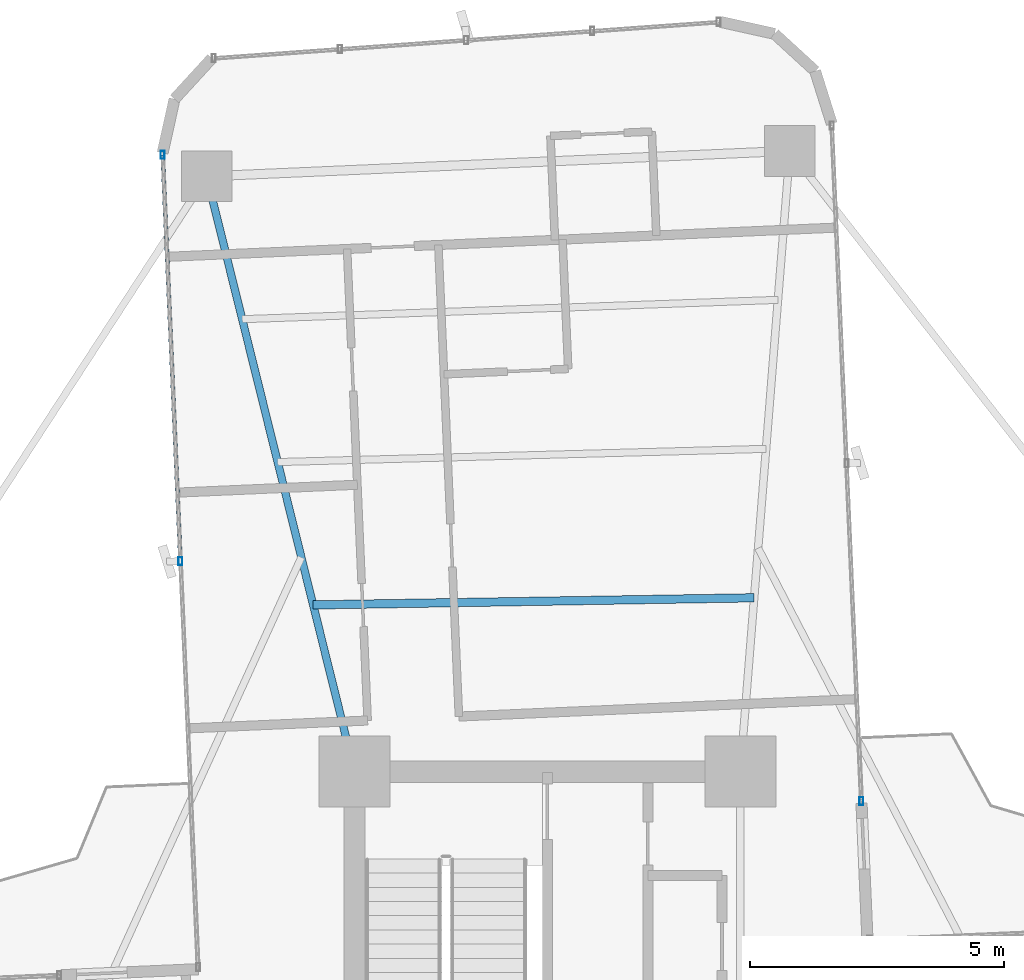
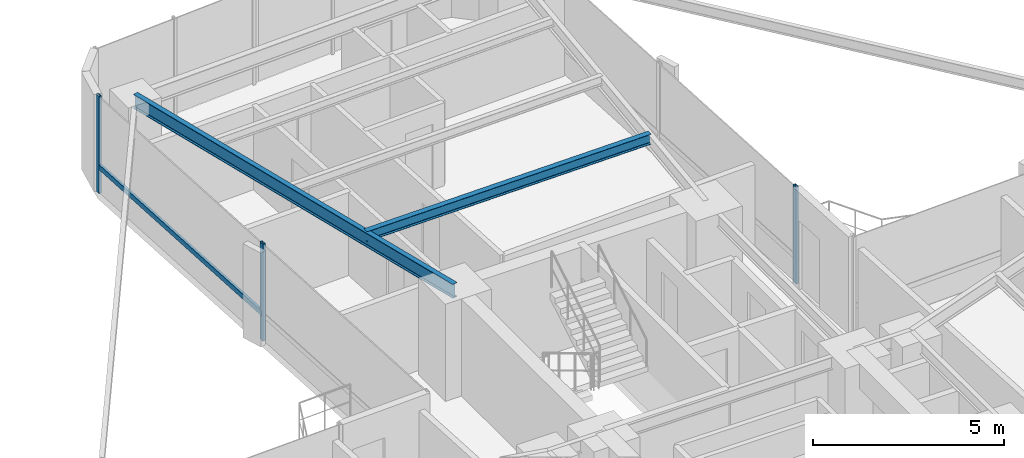
# One storey, part 17 of 26: 4 members, 2 beams, 2 elements without a shape of their own.
"""IFC4 building model written with IfcOpenShell, lengths in metres."""

from ifc_helpers import new_model, si_unit, direction, frame, origin, origin_2d, place, context, subcontext, project, spatial, hollow_rectangle, i_section, extrude, source, transform, mapped, material, material_profile, profile_set, type_object, element, aggregate, save


model = new_model("IFC4")

# Units and contexts
model_context = context("Model", 3, precision=1e-05, world=origin(), true_north=direction((0.0, 1.0)))
body_context = subcontext(model_context, "Body", "Model", "MODEL_VIEW")
ifc_project = project(units=[si_unit("LENGTHUNIT", "METRE"), si_unit("AREAUNIT", "SQUARE_METRE"), si_unit("VOLUMEUNIT", "CUBIC_METRE"), si_unit("PLANEANGLEUNIT", "RADIAN"), si_unit("MASSUNIT", "GRAM", prefix="KILO")], contexts=[model_context])

# Site, building, storey
site_placement = place(None, origin())
site = spatial("IfcSite", under=ifc_project, at=site_placement, CompositionType="ELEMENT")
building_placement = place(site_placement, origin())
building = spatial("IfcBuilding", under=site, at=building_placement, Name="Sahyath Konkavel Grand Hotel", CompositionType="ELEMENT")
storey_placement = place(building_placement, frame((0.0, 0.0, 124.85009765625)))
storey = spatial("IfcBuildingStorey", under=building, at=storey_placement, Name="L34", CompositionType="ELEMENT", Elevation=124.85009765625)

# Beams
ifc_material_1 = material(Name="Steel E350", Category="steel")
ifc_material_profile_1 = material_profile(ifc_material_1, i_section(OverallWidth=0.14990234375, OverallDepth=0.449951171875, WebThickness=0.009521484375, FlangeThickness=0.017333984375, FilletRadius=0.014892578125, at=origin_2d()), Name="ISMB 450")
ifc_profile_set_1 = profile_set([ifc_material_profile_1], Name="Steel E350")
beam_type_1 = type_object("IfcBeamType", Name="BM-ISMB450", PredefinedType="BEAM", material=ifc_profile_set_1)
shared_shape_1 = source(origin(), body_context, "Body", "SweptSolid", [
    extrude(i_section(OverallWidth=0.14990234375, OverallDepth=0.449951171875, WebThickness=0.009521484375, FlangeThickness=0.017333984375, FilletRadius=0.014892578125, at=origin_2d()), origin(), (0.0, 0.0, 1.0), 12.084228515625),
])
beam_1_placement = place(storey_placement, frame((-3.800048828125, 10.199951171875, 2.885009765625), z_axis=(-0.241042688481, 0.970514514229, 0.0), x_axis=(-0.970514514229, -0.241042688481, 0.0)))
element("IfcBeam", 1, at=beam_1_placement, inside=storey, type_object=beam_type_1, Name="L34 Cruciform Radial Girder NB", PredefinedType="BEAM", context=body_context, shape_type="MappedRepresentation", body=[
    mapped(shared_shape_1, transform((0.0, 0.0, 0.0), scale=1.0)),
])
ifc_material_profile_2 = material_profile(ifc_material_1, i_section(OverallWidth=0.1650390625, OverallDepth=0.324951171875, WebThickness=0.007080078125, FlangeThickness=0.009765625, FilletRadius=0.014892578125, at=origin_2d()), Name="ISLB 325")
ifc_profile_set_2 = profile_set([ifc_material_profile_2], Name="Steel E350")
beam_type_2 = type_object("IfcBeamType", Name="BM-ISLB325", PredefinedType="BEAM", material=ifc_profile_set_2)
shared_shape_2 = source(origin(), body_context, "Body", "SweptSolid", [
    extrude(i_section(OverallWidth=0.1650390625, OverallDepth=0.324951171875, WebThickness=0.007080078125, FlangeThickness=0.009765625, FilletRadius=0.014892578125, at=origin_2d()), origin(), (0.0, 0.0, 1.0), 8.68994140625),
])
beam_2_placement = place(storey_placement, frame((4.0732421875, 13.624267578125, 2.947509765625), z_axis=(-0.999869506431, -0.016154569283, 0.0), x_axis=(0.016154569283, -0.999869506431, 0.0)))
element("IfcBeam", 2, at=beam_2_placement, inside=storey, type_object=beam_type_2, Name="L34 Secondary Floor Beam N-1", PredefinedType="BEAM", context=body_context, shape_type="MappedRepresentation", body=[
    mapped(shared_shape_2, transform((0.0, 0.0, 0.0), scale=1.0)),
])

# Curtain wall, member
ifc_material_2 = material(Name="Anodised Bronze Aluminium & Low-E Glazing", Category="aluminium")
curtain_wall_type = type_object("IfcCurtainWallType", Name="CW-ZONE2", PredefinedType="NOTDEFINED", material=ifc_material_2)
curtain_wall_1_placement = place(storey_placement, origin())
curtain_wall_1 = element("IfcCurtainWall", 3, at=curtain_wall_1_placement, inside=storey, type_object=curtain_wall_type, Name="L34 Unitised Curtain Wall F8", PredefinedType="NOTDEFINED")
ifc_material_3 = material(Name="Anodised Bronze Aluminium", Category="aluminium")
ifc_material_profile_3 = material_profile(ifc_material_3, hollow_rectangle(XDim=0.080078125, YDim=0.159912109375, WallThickness=0.006103515625, at=origin_2d()), Name="RHS 160x80x6")
ifc_profile_set_3 = profile_set([ifc_material_profile_3], Name="Anodised Bronze Aluminium")
member_type_1 = type_object("IfcMemberType", Name="CW-MUL-160", PredefinedType="MULLION", material=ifc_profile_set_3)
shared_shape_3 = source(origin(), body_context, "Body", "SweptSolid", [
    extrude(hollow_rectangle(XDim=0.080078125, YDim=0.159912109375, WallThickness=0.006103515625, at=origin_2d()), origin(), (0.0, 0.0, 1.0), 3.10986328125),
])
member_1_placement = place(storey_placement, frame((6.186279296875, 9.618896484375, 0.0), z_axis=(0.0, 0.0, 1.0), x_axis=(1.0, 0.0, 0.0)))
member_1 = element("IfcMember", 4, at=member_1_placement, type_object=member_type_1, Name="L34 Curtain Wall Mullion F8-0", PredefinedType="MULLION", context=body_context, shape_type="MappedRepresentation", body=[
    mapped(shared_shape_3, transform((0.0, 0.0, 0.0), scale=1.0)),
])
aggregate(curtain_wall_1, [member_1])

# Curtain wall, members
curtain_wall_2_placement = place(storey_placement, origin())
curtain_wall_2 = element("IfcCurtainWall", 5, at=curtain_wall_2_placement, inside=storey, type_object=curtain_wall_type, Name="L34 Unitised Curtain Wall F15", PredefinedType="NOTDEFINED")
member_2_placement = place(storey_placement, frame((-7.582275390625, 22.3505859375, 0.0), z_axis=(0.0, 0.0, 1.0), x_axis=(1.0, 0.0, 0.0)))
member_2 = element("IfcMember", 6, at=member_2_placement, type_object=member_type_1, Name="L34 Curtain Wall Mullion F15-0", PredefinedType="MULLION", context=body_context, shape_type="MappedRepresentation", body=[
    mapped(shared_shape_3, transform((0.0, 0.0, 0.0), scale=1.0)),
])
member_3_placement = place(storey_placement, frame((-7.232666015625, 14.34814453125, 0.0), z_axis=(0.0, 0.0, 1.0), x_axis=(1.0, 0.0, 0.0)))
member_3 = element("IfcMember", 7, at=member_3_placement, type_object=member_type_1, Name="L34 Curtain Wall Mullion F15-1", PredefinedType="MULLION", context=body_context, shape_type="MappedRepresentation", body=[
    mapped(shared_shape_3, transform((0.0, 0.0, 0.0), scale=1.0)),
])
ifc_material_profile_4 = material_profile(ifc_material_3, hollow_rectangle(XDim=0.080078125, YDim=0.159912109375, WallThickness=0.006103515625, at=origin_2d()), Name="RHS 160x80x6")
ifc_profile_set_4 = profile_set([ifc_material_profile_4], Name="Anodised Bronze Aluminium")
member_type_2 = type_object("IfcMemberType", Name="CW-TRN-160", PredefinedType="USERDEFINED", material=ifc_profile_set_4)
shared_shape_4 = source(origin(), body_context, "Body", "SweptSolid", [
    extrude(hollow_rectangle(XDim=0.080078125, YDim=0.159912109375, WallThickness=0.006103515625, at=origin_2d()), origin(), (0.0, 0.0, 1.0), 8.010009765625),
])
member_4_placement = place(storey_placement, frame((-7.582275390625, 22.3505859375, 0.849853515625), z_axis=(0.043646207089, -0.999047050247, 0.0), x_axis=(0.999047050247, 0.043646207089, 0.0)))
member_4 = element("IfcMember", 8, at=member_4_placement, type_object=member_type_2, Name="L34 Curtain Wall Transom F15-0-spandrel", ObjectType="TRANSOM", PredefinedType="USERDEFINED", context=body_context, shape_type="MappedRepresentation", body=[
    mapped(shared_shape_4, transform((0.0, 0.0, 0.0), scale=1.0)),
])
aggregate(curtain_wall_2, [member_2, member_3, member_4])

save(model, "model.ifc")
